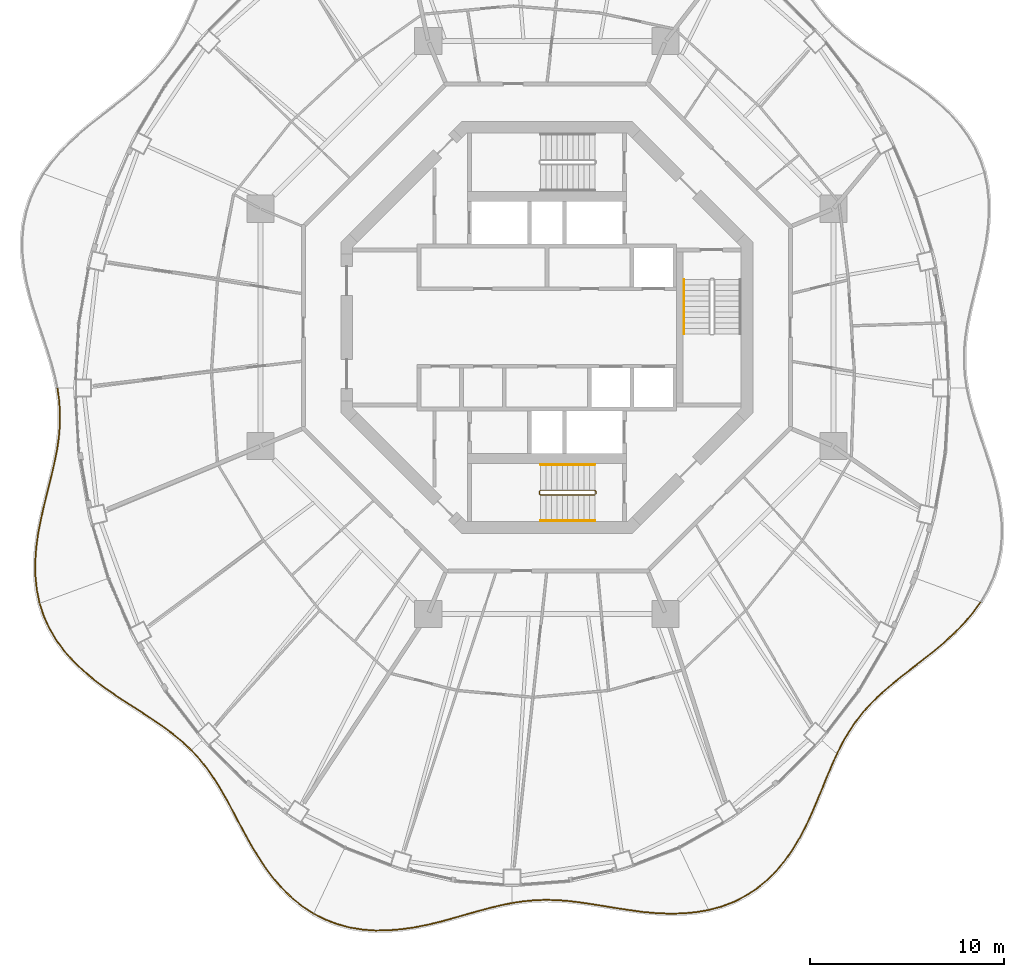
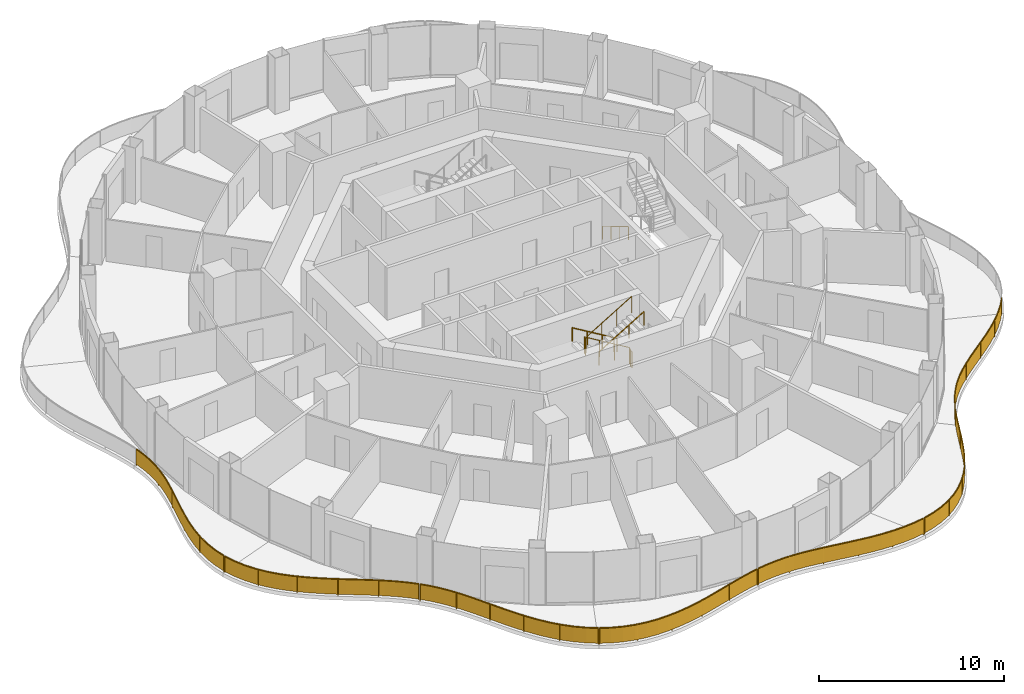
# One storey, part 15 of 17: 11 railings.
"""IFC4 building model written with IfcOpenShell, lengths in metres."""

from ifc_helpers import new_model, si_unit, direction, frame, origin, origin_2d, place, context, subcontext, project, spatial, polyline, rectangle, circle, outline, extrude, material, type_object, element, save


model = new_model("IFC4")

# Units and contexts
model_context = context("Model", 3, precision=1e-05, world=origin(), true_north=direction((0.0, 1.0)))
body_context = subcontext(model_context, "Body", "Model", "MODEL_VIEW")
ifc_project = project(units=[si_unit("LENGTHUNIT", "METRE"), si_unit("AREAUNIT", "SQUARE_METRE"), si_unit("VOLUMEUNIT", "CUBIC_METRE"), si_unit("PLANEANGLEUNIT", "RADIAN"), si_unit("MASSUNIT", "GRAM", prefix="KILO")], contexts=[model_context])

# Site, building, storey
site_placement = place(None, origin())
site = spatial("IfcSite", under=ifc_project, at=site_placement, CompositionType="ELEMENT")
building_placement = place(site_placement, origin())
building = spatial("IfcBuilding", under=site, at=building_placement, Name="Nagisa Residences", CompositionType="ELEMENT")
storey_placement = place(building_placement, frame((0.0, 0.0, 288.10009765625)))
storey = spatial("IfcBuildingStorey", under=building, at=storey_placement, Name="L73", CompositionType="ELEMENT", Elevation=288.10009765625)

# Railings
ifc_material_1 = material(Name="Stainless steel 316", Category="steel")
railing_type_1 = type_object("IfcRailingType", Name="BALCONY GUARD 1100", PredefinedType="BALUSTRADE", material=ifc_material_1)
railing_1_placement = place(storey_placement, frame((-25.253662109375, -3.15234375, 0.0)))
element("IfcRailing", 1, at=railing_1_placement, inside=storey, type_object=railing_type_1, Name="guard:L73:bal08-0", PredefinedType="BALUSTRADE", context=body_context, shape_type="SweptSolid", body=[
    extrude(outline(polyline([(0.112060546875, -0.6025390625), (0.024658203125, 0.003662109375), (-0.024658203125, -0.003662109375), (0.062255859375, -0.60791015625), (0.105224609375, -1.25146484375), (0.098388671875, -1.897705078125), (0.04296875, -2.550537109375), (-0.0556640625, -3.213134765625), (-0.19189453125, -3.87451171875), (-0.35302734375, -4.563720703125), (-0.528564453125, -5.267578125), (-0.706298828125, -5.985107421875), (-0.8720703125, -6.715087890625), (-1.016357421875, -7.43994140625), (-1.119140625, -8.18310546875), (-1.17236328125, -8.926025390625), (-1.1650390625, -9.662841796875), (-1.09033203125, -10.3876953125), (-0.95263671875, -11.048095703125), (-0.90380859375, -11.037841796875), (-1.041015625, -10.3798828125), (-1.115234375, -9.659912109375), (-1.1220703125, -8.927490234375), (-1.0693359375, -8.1884765625), (-0.967041015625, -7.4482421875), (-0.8232421875, -6.725341796875), (-0.657470703125, -5.996826171875), (-0.480224609375, -5.27978515625), (-0.30419921875, -4.575439453125), (-0.14306640625, -3.88525390625), (-0.00634765625, -3.221923828125), (0.0927734375, -2.556396484375), (0.148193359375, -1.900146484375), (0.155517578125, -1.25), (0.112060546875, -0.6025390625)])), frame((0.0, 0.0, 1.050048828125)), (0.0, 0.0, 1.0), 0.050048828125),
    extrude(outline(polyline([(0.09423828125, -0.6044921875), (0.0068359375, 0.0009765625), (-0.0068359375, -0.0009765625), (0.080078125, -0.60595703125), (0.123291015625, -1.2509765625), (0.1162109375, -1.898681640625), (0.06103515625, -2.552734375), (-0.037841796875, -3.21630859375), (-0.17431640625, -3.87841796875), (-0.33544921875, -4.56787109375), (-0.51123046875, -5.27197265625), (-0.688720703125, -5.9892578125), (-0.8544921875, -6.71875), (-0.99853515625, -7.44287109375), (-1.101318359375, -8.18505859375), (-1.154296875, -8.926513671875), (-1.147216796875, -9.661865234375), (-1.072509765625, -10.384765625), (-0.93505859375, -11.04443359375), (-0.92138671875, -11.04150390625), (-1.058837890625, -10.3828125), (-1.133056640625, -9.660888671875), (-1.14013671875, -8.927001953125), (-1.087158203125, -8.1865234375), (-0.98486328125, -7.4453125), (-0.8408203125, -6.7216796875), (-0.675048828125, -5.99267578125), (-0.49755859375, -5.275390625), (-0.32177734375, -4.5712890625), (-0.16064453125, -3.88134765625), (-0.024169921875, -3.21875), (0.07470703125, -2.55419921875), (0.13037109375, -1.899169921875), (0.137451171875, -1.25048828125), (0.09423828125, -0.6044921875)])), frame((0.0, 0.0, 0.06005859375)), (0.0, 0.0, 1.0), 0.989990234375),
    extrude(rectangle(XDim=0.0400390625, YDim=0.0400390625, at=origin_2d()), origin(), (0.0, 0.0, 1.0), 1.050048828125),
    extrude(rectangle(XDim=0.0400390625, YDim=0.0400390625, at=origin_2d()), frame((0.09521484375, -2.230224609375, 0.0)), (0.0, 0.0, 1.0), 1.050048828125),
    extrude(rectangle(XDim=0.0400390625, YDim=0.0400390625, at=origin_2d()), frame((-0.296630859375, -4.43212890625, 0.0)), (0.0, 0.0, 1.0), 1.050048828125),
    extrude(rectangle(XDim=0.0400390625, YDim=0.0400390625, at=origin_2d()), frame((-0.822265625, -6.608642578125, 0.0)), (0.0, 0.0, 1.0), 1.050048828125),
    extrude(rectangle(XDim=0.0400390625, YDim=0.0400390625, at=origin_2d()), frame((-1.1396484375, -8.822021484375, 0.0)), (0.0, 0.0, 1.0), 1.050048828125),
    extrude(rectangle(XDim=0.0400390625, YDim=0.0400390625, at=origin_2d()), frame((-0.92822265625, -11.04296875, 0.0)), (0.0, 0.0, 1.0), 1.050048828125),
])
railing_2_placement = place(storey_placement, frame((-26.162109375, -14.27001953125, 0.0)))
element("IfcRailing", 2, at=railing_2_placement, inside=storey, type_object=railing_type_1, Name="guard:L73:bal09-0", PredefinedType="BALUSTRADE", context=body_context, shape_type="SweptSolid", body=[
    extrude(outline(polyline([(0.223876953125, -0.606689453125), (0.023681640625, 0.0078125), (-0.023681640625, -0.0078125), (0.177001953125, -0.624755859375), (0.464111328125, -1.259765625), (0.8193359375, -1.86376953125), (1.238037109375, -2.434814453125), (1.713134765625, -2.97119140625), (2.22900390625, -3.46044921875), (2.788330078125, -3.9306640625), (3.374267578125, -4.37158203125), (3.975341796875, -4.7880859375), (4.580078125, -5.185791015625), (5.170166015625, -5.55908203125), (5.75244140625, -5.93994140625), (6.311279296875, -6.323486328125), (6.840576171875, -6.717529296875), (7.336181640625, -7.128173828125), (7.767333984375, -7.533447265625), (7.801513671875, -7.496826171875), (7.369384765625, -7.090576171875), (6.871337890625, -6.677978515625), (6.340576171875, -6.282958984375), (5.7802734375, -5.8984375), (5.197021484375, -5.51708984375), (4.607421875, -5.143798828125), (4.003173828125, -4.74658203125), (3.403564453125, -4.3310546875), (2.819580078125, -3.8916015625), (2.26220703125, -3.42333984375), (1.749267578125, -2.9365234375), (1.277099609375, -2.403564453125), (0.861328125, -1.83642578125), (0.508544921875, -1.23681640625), (0.223876953125, -0.606689453125)])), frame((0.0, 0.0, 1.050048828125)), (0.0, 0.0, 1.0), 0.050048828125),
    extrude(outline(polyline([(0.20703125, -0.61328125), (0.006591796875, 0.002197265625), (-0.006591796875, -0.002197265625), (0.19384765625, -0.6181640625), (0.480224609375, -1.25146484375), (0.83447265625, -1.85400390625), (1.252197265625, -2.423583984375), (1.72607421875, -2.958740234375), (2.240966796875, -3.447021484375), (2.799560546875, -3.91650390625), (3.384765625, -4.35693359375), (3.9853515625, -4.773193359375), (4.58984375, -5.170654296875), (5.1796875, -5.5439453125), (5.762451171875, -5.925048828125), (6.32177734375, -6.308837890625), (6.8515625, -6.703369140625), (7.34814453125, -7.11474609375), (7.779541015625, -7.520263671875), (7.789306640625, -7.510009765625), (7.357421875, -7.10400390625), (6.8603515625, -6.692138671875), (6.330078125, -6.297607421875), (5.770263671875, -5.913330078125), (5.1875, -5.5322265625), (4.59765625, -5.158935546875), (3.9931640625, -4.761474609375), (3.39306640625, -4.345703125), (2.808349609375, -3.90576171875), (2.250244140625, -3.436767578125), (1.736328125, -2.948974609375), (1.262939453125, -2.414794921875), (0.84619140625, -1.84619140625), (0.492431640625, -1.2451171875), (0.20703125, -0.61328125)])), frame((0.0, 0.0, 0.06005859375)), (0.0, 0.0, 1.0), 0.989990234375),
    extrude(rectangle(XDim=0.0400390625, YDim=0.0400390625, at=origin_2d()), origin(), (0.0, 0.0, 1.0), 1.050048828125),
    extrude(rectangle(XDim=0.0400390625, YDim=0.0400390625, at=origin_2d()), frame((0.941650390625, -1.98828125, 0.0)), (0.0, 0.0, 1.0), 1.050048828125),
    extrude(rectangle(XDim=0.0400390625, YDim=0.0400390625, at=origin_2d()), frame((2.439453125, -3.60498046875, 0.0)), (0.0, 0.0, 1.0), 1.050048828125),
    extrude(rectangle(XDim=0.0400390625, YDim=0.0400390625, at=origin_2d()), frame((4.217041015625, -4.9169921875, 0.0)), (0.0, 0.0, 1.0), 1.050048828125),
    extrude(rectangle(XDim=0.0400390625, YDim=0.0400390625, at=origin_2d()), frame((6.068115234375, -6.126220703125, 0.0)), (0.0, 0.0, 1.0), 1.050048828125),
    extrude(rectangle(XDim=0.0400390625, YDim=0.0400390625, at=origin_2d()), frame((7.784423828125, -7.51513671875, 0.0)), (0.0, 0.0, 1.0), 1.050048828125),
])
railing_3_placement = place(storey_placement, frame((-18.32861328125, -21.833740234375, 0.0)))
element("IfcRailing", 3, at=railing_3_placement, inside=storey, type_object=railing_type_1, Name="guard:L73:bal10-0", PredefinedType="BALUSTRADE", context=body_context, shape_type="SweptSolid", body=[
    extrude(outline(polyline([(0.3984375, -0.39306640625), (0.018310546875, 0.01708984375), (-0.018310546875, -0.01708984375), (0.3603515625, -0.42578125), (0.73876953125, -0.8935546875), (1.09228515625, -1.390625), (1.42578125, -1.917236328125), (1.74609375, -2.47119140625), (2.048095703125, -3.0380859375), (2.36376953125, -3.63427734375), (2.6884765625, -4.2421875), (3.029541015625, -4.853515625), (3.39404296875, -5.459228515625), (3.775146484375, -6.0419921875), (4.20068359375, -6.607177734375), (4.665283203125, -7.138427734375), (5.168212890625, -7.625732421875), (5.710205078125, -8.060791015625), (6.24853515625, -8.411376953125), (6.27587890625, -8.369384765625), (5.739501953125, -8.020263671875), (5.201416015625, -7.588134765625), (4.701416015625, -7.103759765625), (4.23974609375, -6.575439453125), (3.816162109375, -6.01318359375), (3.4365234375, -5.432861328125), (3.072998046875, -4.82861328125), (2.732421875, -4.21826171875), (2.408203125, -3.61083984375), (2.092529296875, -3.0146484375), (1.7900390625, -2.44677734375), (1.46875, -1.891357421875), (1.1337890625, -1.36279296875), (0.77880859375, -0.86328125), (0.3984375, -0.39306640625)])), frame((0.0, 0.0, 1.050048828125)), (0.0, 0.0, 1.0), 0.050048828125),
    extrude(outline(polyline([(0.384765625, -0.40478515625), (0.005126953125, 0.004638671875), (-0.005126953125, -0.004638671875), (0.3740234375, -0.4140625), (0.753173828125, -0.882568359375), (1.107177734375, -1.380615234375), (1.441162109375, -1.907958984375), (1.761962890625, -2.46240234375), (2.064208984375, -3.029541015625), (2.3798828125, -3.625732421875), (2.704345703125, -4.233642578125), (3.045166015625, -4.844482421875), (3.409423828125, -5.44970703125), (3.7900390625, -6.031494140625), (4.21484375, -6.595703125), (4.67822265625, -7.1259765625), (5.18017578125, -7.6123046875), (5.720703125, -8.046142578125), (6.25830078125, -8.396240234375), (6.26611328125, -8.384521484375), (5.72900390625, -8.034912109375), (5.189453125, -7.6015625), (4.6884765625, -7.1162109375), (4.2255859375, -6.5869140625), (3.80126953125, -6.023681640625), (3.421142578125, -5.4423828125), (3.057373046875, -4.837646484375), (2.716552734375, -4.226806640625), (2.39208984375, -3.619384765625), (2.076416015625, -3.023193359375), (1.774169921875, -2.45556640625), (1.453369140625, -1.900634765625), (1.118896484375, -1.372802734375), (0.764404296875, -0.874267578125), (0.384765625, -0.40478515625)])), frame((0.0, 0.0, 0.06005859375)), (0.0, 0.0, 1.0), 0.989990234375),
    extrude(rectangle(XDim=0.0400390625, YDim=0.0400390625, at=origin_2d()), origin(), (0.0, 0.0, 1.0), 1.050048828125),
    extrude(rectangle(XDim=0.0400390625, YDim=0.0400390625, at=origin_2d()), frame((1.29736328125, -1.667724609375, 0.0)), (0.0, 0.0, 1.0), 1.050048828125),
    extrude(rectangle(XDim=0.0400390625, YDim=0.0400390625, at=origin_2d()), frame((2.329345703125, -3.515625, 0.0)), (0.0, 0.0, 1.0), 1.050048828125),
    extrude(rectangle(XDim=0.0400390625, YDim=0.0400390625, at=origin_2d()), frame((3.36474609375, -5.36181640625, 0.0)), (0.0, 0.0, 1.0), 1.050048828125),
    extrude(rectangle(XDim=0.0400390625, YDim=0.0400390625, at=origin_2d()), frame((4.627197265625, -7.056884765625, 0.0)), (0.0, 0.0, 1.0), 1.050048828125),
    extrude(rectangle(XDim=0.0400390625, YDim=0.0400390625, at=origin_2d()), frame((6.26220703125, -8.390380859375, 0.0)), (0.0, 0.0, 1.0), 1.050048828125),
])
railing_4_placement = place(storey_placement, frame((-11.99951171875, -30.262939453125, 0.0)))
element("IfcRailing", 4, at=railing_4_placement, inside=storey, type_object=railing_type_1, Name="guard:L73:bal11-0", PredefinedType="BALUSTRADE", context=body_context, shape_type="SweptSolid", body=[
    extrude(outline(polyline([(0.55712890625, -0.2568359375), (0.011474609375, 0.022216796875), (-0.011474609375, -0.022216796875), (0.53662109375, -0.302734375), (1.15673828125, -0.5419921875), (1.80078125, -0.717041015625), (2.463623046875, -0.8291015625), (3.1396484375, -0.880126953125), (3.80712890625, -0.86962890625), (4.4931640625, -0.813720703125), (5.176513671875, -0.714599609375), (5.852783203125, -0.580810546875), (6.518798828125, -0.421630859375), (7.154052734375, -0.244384765625), (7.792236328125, -0.063720703125), (8.416015625, 0.11328125), (9.026123046875, 0.278076171875), (9.6240234375, 0.422607421875), (10.169921875, 0.53369140625), (10.16015625, 0.58251953125), (9.61328125, 0.471435546875), (9.013916015625, 0.326416015625), (8.40283203125, 0.16162109375), (7.778564453125, -0.015380859375), (7.140380859375, -0.196044921875), (6.506103515625, -0.373291015625), (5.842041015625, -0.531982421875), (5.168212890625, -0.665283203125), (4.4873046875, -0.763916015625), (3.8046875, -0.81982421875), (3.14111328125, -0.829833984375), (2.469482421875, -0.779296875), (1.8115234375, -0.668212890625), (1.17236328125, -0.494140625), (0.55712890625, -0.2568359375)])), frame((0.0, 0.0, 1.050048828125)), (0.0, 0.0, 1.0), 0.050048828125),
    extrude(outline(polyline([(0.5498046875, -0.2734375), (0.003173828125, 0.00634765625), (-0.003173828125, -0.00634765625), (0.5439453125, -0.2861328125), (1.162353515625, -0.524658203125), (1.8046875, -0.699462890625), (2.4658203125, -0.81103515625), (3.14013671875, -0.862060546875), (3.80615234375, -0.851806640625), (4.490966796875, -0.7958984375), (5.173583984375, -0.69677734375), (5.848876953125, -0.563232421875), (6.51416015625, -0.404296875), (7.149169921875, -0.22705078125), (7.787353515625, -0.04638671875), (8.411376953125, 0.130615234375), (9.021728515625, 0.29541015625), (9.6201171875, 0.440185546875), (10.16650390625, 0.55126953125), (10.16357421875, 0.56494140625), (9.6171875, 0.453857421875), (9.018310546875, 0.30908203125), (8.407470703125, 0.144287109375), (7.783447265625, -0.03271484375), (7.145263671875, -0.21337890625), (6.5107421875, -0.390625), (5.845947265625, -0.549560546875), (5.171142578125, -0.68310546875), (4.489501953125, -0.78173828125), (3.8056640625, -0.837646484375), (3.140625, -0.847900390625), (2.46728515625, -0.79736328125), (1.8076171875, -0.685791015625), (1.166748046875, -0.511474609375), (0.5498046875, -0.2734375)])), frame((0.0, 0.0, 0.06005859375)), (0.0, 0.0, 1.0), 0.989990234375),
    extrude(rectangle(XDim=0.0400390625, YDim=0.0400390625, at=origin_2d()), origin(), (0.0, 0.0, 1.0), 1.050048828125),
    extrude(rectangle(XDim=0.0400390625, YDim=0.0400390625, at=origin_2d()), frame((1.958251953125, -0.71826171875, 0.0)), (0.0, 0.0, 1.0), 1.050048828125),
    extrude(rectangle(XDim=0.0400390625, YDim=0.0400390625, at=origin_2d()), frame((4.04345703125, -0.8251953125, 0.0)), (0.0, 0.0, 1.0), 1.050048828125),
    extrude(rectangle(XDim=0.0400390625, YDim=0.0400390625, at=origin_2d()), frame((6.10986328125, -0.49365234375, 0.0)), (0.0, 0.0, 1.0), 1.050048828125),
    extrude(rectangle(XDim=0.0400390625, YDim=0.0400390625, at=origin_2d()), frame((8.130859375, 0.058349609375, 0.0)), (0.0, 0.0, 1.0), 1.050048828125),
    extrude(rectangle(XDim=0.0400390625, YDim=0.0400390625, at=origin_2d()), frame((10.1650390625, 0.55810546875, 0.0)), (0.0, 0.0, 1.0), 1.050048828125),
])
railing_5_placement = place(storey_placement, frame((-1.765380859375, -29.691162109375, 0.0)))
element("IfcRailing", 5, at=railing_5_placement, inside=storey, type_object=railing_type_1, Name="guard:L73:bal12-0", PredefinedType="BALUSTRADE", context=body_context, shape_type="SweptSolid", body=[
    extrude(outline(polyline([(0.537353515625, 0.106689453125), (-0.003662109375, 0.024658203125), (0.003662109375, -0.024658203125), (0.543212890625, 0.056884765625), (1.12353515625, 0.11083984375), (1.70556640625, 0.130126953125), (2.293212890625, 0.1162109375), (2.8896484375, 0.0712890625), (3.48046875, -0.002197265625), (4.10302734375, -0.092529296875), (4.740478515625, -0.1953125), (5.392333984375, -0.301513671875), (6.057861328125, -0.402099609375), (6.718017578125, -0.49267578125), (7.403076171875, -0.5537109375), (8.091552734375, -0.58154296875), (8.778564453125, -0.5673828125), (9.4580078125, -0.50537109375), (10.077392578125, -0.39892578125), (10.069091796875, -0.349609375), (9.45166015625, -0.45556640625), (8.775634765625, -0.517578125), (8.092041015625, -0.53125), (7.406494140625, -0.50390625), (6.723876953125, -0.44287109375), (6.065185546875, -0.352783203125), (5.400146484375, -0.252197265625), (4.748291015625, -0.14599609375), (4.11083984375, -0.043212890625), (3.4873046875, 0.047607421875), (2.89453125, 0.12109375), (2.295654296875, 0.166015625), (1.70556640625, 0.180419921875), (1.12060546875, 0.16064453125), (0.537353515625, 0.106689453125)])), frame((0.0, 0.0, 1.050048828125)), (0.0, 0.0, 1.0), 0.050048828125),
    extrude(outline(polyline([(0.53955078125, 0.088623046875), (-0.0009765625, 0.0068359375), (0.0009765625, -0.0068359375), (0.541015625, 0.074951171875), (1.12255859375, 0.128662109375), (1.70556640625, 0.148193359375), (2.294189453125, 0.134033203125), (2.891357421875, 0.089111328125), (3.48291015625, 0.015869140625), (4.10595703125, -0.07470703125), (4.7431640625, -0.177490234375), (5.395263671875, -0.28369140625), (6.060546875, -0.38427734375), (6.72021484375, -0.474609375), (7.404296875, -0.535888671875), (8.091796875, -0.5634765625), (8.777587890625, -0.549560546875), (9.455810546875, -0.4873046875), (10.074462890625, -0.381103515625), (10.072021484375, -0.367431640625), (9.453857421875, -0.4736328125), (8.776611328125, -0.535400390625), (8.091796875, -0.54931640625), (7.4052734375, -0.521728515625), (6.7216796875, -0.4609375), (6.0625, -0.37060546875), (5.397216796875, -0.27001953125), (4.74560546875, -0.163818359375), (4.10791015625, -0.06103515625), (3.48486328125, 0.029541015625), (2.892822265625, 0.103271484375), (2.294677734375, 0.148193359375), (1.70556640625, 0.162353515625), (1.12158203125, 0.142822265625), (0.53955078125, 0.088623046875)])), frame((0.0, 0.0, 0.06005859375)), (0.0, 0.0, 1.0), 0.989990234375),
    extrude(rectangle(XDim=0.0400390625, YDim=0.0400390625, at=origin_2d()), origin(), (0.0, 0.0, 1.0), 1.050048828125),
    extrude(rectangle(XDim=0.0400390625, YDim=0.0400390625, at=origin_2d()), frame((2.01904296875, 0.147705078125, 0.0)), (0.0, 0.0, 1.0), 1.050048828125),
    extrude(rectangle(XDim=0.0400390625, YDim=0.0400390625, at=origin_2d()), frame((4.03515625, -0.057373046875, 0.0)), (0.0, 0.0, 1.0), 1.050048828125),
    extrude(rectangle(XDim=0.0400390625, YDim=0.0400390625, at=origin_2d()), frame((6.03857421875, -0.3740234375, 0.0)), (0.0, 0.0, 1.0), 1.050048828125),
    extrude(rectangle(XDim=0.0400390625, YDim=0.0400390625, at=origin_2d()), frame((8.05712890625, -0.554931640625, 0.0)), (0.0, 0.0, 1.0), 1.050048828125),
    extrude(rectangle(XDim=0.0400390625, YDim=0.0400390625, at=origin_2d()), frame((10.0732421875, -0.374267578125, 0.0)), (0.0, 0.0, 1.0), 1.050048828125),
])
railing_6_placement = place(storey_placement, frame((8.383544921875, -30.049072265625, 0.0)))
element("IfcRailing", 6, at=railing_6_placement, inside=storey, type_object=railing_type_1, Name="guard:L73:bal13-0", PredefinedType="BALUSTRADE", context=body_context, shape_type="SweptSolid", body=[
    extrude(outline(polyline([(0.6162109375, 0.191162109375), (-0.006591796875, 0.024169921875), (0.006591796875, -0.024169921875), (0.6318359375, 0.143310546875), (1.276123046875, 0.389892578125), (1.8876953125, 0.701416015625), (2.4619140625, 1.076171875), (2.99267578125, 1.509033203125), (3.47119140625, 1.98974609375), (3.91748046875, 2.525390625), (4.3212890625, 3.100341796875), (4.685546875, 3.70556640625), (5.014404296875, 4.33203125), (5.301513671875, 4.95947265625), (5.577392578125, 5.6005859375), (5.838623046875, 6.236572265625), (6.092529296875, 6.860107421875), (6.347412109375, 7.46484375), (6.592529296875, 8.0078125), (6.547119140625, 8.0283203125), (6.301513671875, 7.48486328125), (6.046142578125, 6.879150390625), (5.792236328125, 6.255615234375), (5.531494140625, 5.6201171875), (5.255615234375, 4.97998046875), (4.969482421875, 4.35400390625), (4.64208984375, 3.72998046875), (4.279296875, 3.127685546875), (3.8779296875, 2.5556640625), (3.43408203125, 2.0234375), (2.958984375, 1.546142578125), (2.43212890625, 1.11669921875), (1.86279296875, 0.744873046875), (1.255615234375, 0.435791015625), (0.6162109375, 0.191162109375)])), frame((0.0, 0.0, 1.050048828125)), (0.0, 0.0, 1.0), 0.050048828125),
    extrude(outline(polyline([(0.621826171875, 0.173828125), (-0.001708984375, 0.0068359375), (0.001708984375, -0.0068359375), (0.626220703125, 0.16064453125), (1.268798828125, 0.406494140625), (1.878662109375, 0.717041015625), (2.451171875, 1.0908203125), (2.98046875, 1.5224609375), (3.457763671875, 2.001953125), (3.9033203125, 2.536376953125), (4.30615234375, 3.110107421875), (4.669921875, 3.71435546875), (4.998291015625, 4.33984375), (5.284912109375, 4.966796875), (5.560791015625, 5.607666015625), (5.822021484375, 6.243408203125), (6.07568359375, 6.866943359375), (6.330810546875, 7.47216796875), (6.576171875, 8.01513671875), (6.5634765625, 8.02099609375), (6.318115234375, 7.4775390625), (6.06298828125, 6.872314453125), (5.808837890625, 6.248779296875), (5.548095703125, 5.613037109375), (5.272216796875, 4.97265625), (4.985595703125, 4.34619140625), (4.65771484375, 3.72119140625), (4.29443359375, 3.117919921875), (3.89208984375, 2.544677734375), (3.447509765625, 2.01123046875), (2.97119140625, 1.53271484375), (2.44287109375, 1.10205078125), (1.871826171875, 0.729248046875), (1.262939453125, 0.419189453125), (0.621826171875, 0.173828125)])), frame((0.0, 0.0, 0.06005859375)), (0.0, 0.0, 1.0), 0.989990234375),
    extrude(rectangle(XDim=0.0400390625, YDim=0.0400390625, at=origin_2d()), origin(), (0.0, 0.0, 1.0), 1.050048828125),
    extrude(rectangle(XDim=0.0400390625, YDim=0.0400390625, at=origin_2d()), frame((2.005859375, 0.808349609375, 0.0)), (0.0, 0.0, 1.0), 1.050048828125),
    extrude(rectangle(XDim=0.0400390625, YDim=0.0400390625, at=origin_2d()), frame((3.636962890625, 2.2275390625, 0.0)), (0.0, 0.0, 1.0), 1.050048828125),
    extrude(rectangle(XDim=0.0400390625, YDim=0.0400390625, at=origin_2d()), frame((4.831298828125, 4.03662109375, 0.0)), (0.0, 0.0, 1.0), 1.050048828125),
    extrude(rectangle(XDim=0.0400390625, YDim=0.0400390625, at=origin_2d()), frame((5.7216796875, 6.017822265625, 0.0)), (0.0, 0.0, 1.0), 1.050048828125),
    extrude(rectangle(XDim=0.0400390625, YDim=0.0400390625, at=origin_2d()), frame((6.56982421875, 8.01806640625, 0.0)), (0.0, 0.0, 1.0), 1.050048828125),
])
railing_7_placement = place(storey_placement, frame((14.982666015625, -21.96484375, 0.0)))
element("IfcRailing", 7, at=railing_7_placement, inside=storey, type_object=railing_type_1, Name="guard:L73:bal14-0", PredefinedType="BALUSTRADE", context=body_context, shape_type="SweptSolid", body=[
    extrude(outline(polyline([(0.253173828125, 0.556640625), (-0.022216796875, 0.01123046875), (0.022216796875, -0.01123046875), (0.297119140625, 0.53271484375), (0.617919921875, 1.084716796875), (0.969970703125, 1.606689453125), (1.357421875, 2.100830078125), (1.782470703125, 2.57080078125), (2.236083984375, 3.009033203125), (2.732666015625, 3.44677734375), (3.259033203125, 3.87744140625), (3.807861328125, 4.308349609375), (4.37060546875, 4.74609375), (4.930908203125, 5.18408203125), (5.490234375, 5.65380859375), (6.030517578125, 6.146728515625), (6.54052734375, 6.66650390625), (7.009033203125, 7.21533203125), (7.3994140625, 7.754638671875), (7.35888671875, 7.783935546875), (6.969482421875, 7.24609375), (6.50341796875, 6.7001953125), (5.995849609375, 6.182861328125), (5.45703125, 5.69140625), (4.899169921875, 5.22314453125), (4.33984375, 4.78564453125), (3.777099609375, 4.347900390625), (3.227783203125, 3.91650390625), (2.700439453125, 3.48486328125), (2.201904296875, 3.045654296875), (1.746337890625, 2.60546875), (1.3193359375, 2.133056640625), (0.929443359375, 1.635986328125), (0.575439453125, 1.111083984375), (0.253173828125, 0.556640625)])), frame((0.0, 0.0, 1.050048828125)), (0.0, 0.0, 1.0), 0.050048828125),
    extrude(outline(polyline([(0.26904296875, 0.548095703125), (-0.00634765625, 0.003173828125), (0.00634765625, -0.003173828125), (0.28125, 0.541259765625), (0.6025390625, 1.09423828125), (0.955322265625, 1.6171875), (1.34375, 2.112548828125), (1.76953125, 2.583251953125), (2.2236328125, 3.022216796875), (2.72119140625, 3.46044921875), (3.247802734375, 3.8916015625), (3.796875, 4.322509765625), (4.359619140625, 4.76025390625), (4.91943359375, 5.1982421875), (5.478271484375, 5.667236328125), (6.01806640625, 6.15966796875), (6.527099609375, 6.6787109375), (6.994873046875, 7.226318359375), (7.384765625, 7.76513671875), (7.37353515625, 7.7734375), (6.983642578125, 7.235107421875), (6.516845703125, 6.68798828125), (6.00830078125, 6.169921875), (5.468994140625, 5.677978515625), (4.91064453125, 5.208984375), (4.350830078125, 4.771484375), (3.7880859375, 4.333740234375), (3.239013671875, 3.90234375), (2.7119140625, 3.47119140625), (2.21435546875, 3.032470703125), (1.75927734375, 2.593017578125), (1.3330078125, 2.121337890625), (0.944091796875, 1.62548828125), (0.5908203125, 1.1015625), (0.26904296875, 0.548095703125)])), frame((0.0, 0.0, 0.06005859375)), (0.0, 0.0, 1.0), 0.989990234375),
    extrude(rectangle(XDim=0.0400390625, YDim=0.0400390625, at=origin_2d()), origin(), (0.0, 0.0, 1.0), 1.050048828125),
    extrude(rectangle(XDim=0.0400390625, YDim=0.0400390625, at=origin_2d()), frame((1.12353515625, 1.8427734375, 0.0)), (0.0, 0.0, 1.0), 1.050048828125),
    extrude(rectangle(XDim=0.0400390625, YDim=0.0400390625, at=origin_2d()), frame((2.629638671875, 3.38916015625, 0.0)), (0.0, 0.0, 1.0), 1.050048828125),
    extrude(rectangle(XDim=0.0400390625, YDim=0.0400390625, at=origin_2d()), frame((4.320068359375, 4.738525390625, 0.0)), (0.0, 0.0, 1.0), 1.050048828125),
    extrude(rectangle(XDim=0.0400390625, YDim=0.0400390625, at=origin_2d()), frame((5.974853515625, 6.1298828125, 0.0)), (0.0, 0.0, 1.0), 1.050048828125),
    extrude(rectangle(XDim=0.0400390625, YDim=0.0400390625, at=origin_2d()), frame((7.379150390625, 7.769287109375, 0.0)), (0.0, 0.0, 1.0), 1.050048828125),
])
ifc_material_2 = material(Name="Stainless steel", Category="steel")
railing_type_2 = type_object("IfcRailingType", Name="Stair guard 1100", PredefinedType="GUARDRAIL", material=ifc_material_2)
railing_8_placement = place(storey_placement, frame((2.52490234375, -8.599609375, 0.0)))
element("IfcRailing", 8, at=railing_8_placement, inside=storey, type_object=railing_type_2, Name="L73 ST-S stair guard 1", PredefinedType="GUARDRAIL", context=body_context, shape_type="SweptSolid", body=[
    extrude(circle(Radius=0.02392578125, at=origin_2d()), frame((0.0, 0.0, 1.076171875), z_axis=(0.0, 1.0, 0.0), x_axis=(-1.0, 0.0, 0.0)), (0.0, 0.0, 1.0), 0.14990234375),
    extrude(circle(Radius=0.02392578125, at=origin_2d()), frame((0.0, 0.14990234375, 1.076171875), z_axis=(-0.273343290215, 0.274683208305, 0.921863645432), x_axis=(-0.708833529934, -0.705375805398, 0.0)), (0.0, 0.0, 1.0), 0.18212890625),
    extrude(circle(Radius=0.02392578125, at=origin_2d()), frame((-0.0498046875, 0.199951171875, 1.244140625), z_axis=(-0.857242210791, 0.0, 0.514913383045), x_axis=(0.0, -1.0, 0.0)), (0.0, 0.0, 1.0), 3.266357421875),
    extrude(circle(Radius=0.02392578125, at=origin_2d()), frame((-2.849853515625, 0.199951171875, 2.92578125), z_axis=(-0.707106781187, -0.707106781187, 0.0), x_axis=(0.707106781187, -0.707106781187, 0.0)), (0.0, 0.0, 1.0), 0.07080078125),
    extrude(circle(Radius=0.02392578125, at=origin_2d()), frame((-2.89990234375, 0.14990234375, 2.92578125), z_axis=(0.0, -1.0, 0.0), x_axis=(1.0, 0.0, 0.0)), (0.0, 0.0, 1.0), 0.14990234375),
    extrude(circle(Radius=0.02392578125, at=origin_2d()), frame((-2.89990234375, 0.0, 2.92578125), z_axis=(0.274243871929, -0.274243871929, 0.92172696468), x_axis=(0.707106781187, 0.707106781187, 0.0)), (0.0, 0.0, 1.0), 0.1826171875),
    extrude(circle(Radius=0.02392578125, at=origin_2d()), frame((-2.849853515625, -0.050048828125, 3.09423828125), z_axis=(0.857242210791, 0.0, 0.514913383045), x_axis=(0.0, 1.0, 0.0)), (0.0, 0.0, 1.0), 3.266357421875),
    extrude(circle(Radius=0.02099609375, at=origin_2d()), origin(), (0.0, 0.0, 1.0), 1.052001953125),
    extrude(circle(Radius=0.02099609375, at=origin_2d()), frame((0.0, 0.14990234375, 0.0)), (0.0, 0.0, 1.0), 1.052001953125),
    extrude(circle(Radius=0.02099609375, at=origin_2d()), frame((-0.0498046875, 0.199951171875, 0.16796875)), (0.0, 0.0, 1.0), 1.052001953125),
    extrude(circle(Radius=0.02099609375, at=origin_2d()), frame((-0.983154296875, 0.199951171875, 0.728515625)), (0.0, 0.0, 1.0), 1.052001953125),
    extrude(circle(Radius=0.02099609375, at=origin_2d()), frame((-1.91650390625, 0.199951171875, 1.289306640625)), (0.0, 0.0, 1.0), 1.052001953125),
    extrude(circle(Radius=0.02099609375, at=origin_2d()), frame((-2.849853515625, 0.199951171875, 1.849853515625)), (0.0, 0.0, 1.0), 1.052001953125),
    extrude(circle(Radius=0.02099609375, at=origin_2d()), frame((-2.89990234375, 0.14990234375, 1.849853515625)), (0.0, 0.0, 1.0), 1.052001953125),
    extrude(circle(Radius=0.02099609375, at=origin_2d()), frame((-2.89990234375, 0.0, 1.849853515625)), (0.0, 0.0, 1.0), 1.052001953125),
    extrude(circle(Radius=0.02099609375, at=origin_2d()), frame((-2.849853515625, -0.050048828125, 2.01806640625)), (0.0, 0.0, 1.0), 1.052001953125),
    extrude(circle(Radius=0.02099609375, at=origin_2d()), frame((-1.91650390625, -0.050048828125, 2.57861328125)), (0.0, 0.0, 1.0), 1.052001953125),
    extrude(circle(Radius=0.02099609375, at=origin_2d()), frame((-0.983154296875, -0.050048828125, 3.139404296875)), (0.0, 0.0, 1.0), 1.052001953125),
    extrude(circle(Radius=0.02099609375, at=origin_2d()), frame((-0.0498046875, -0.050048828125, 3.699951171875)), (0.0, 0.0, 1.0), 1.052001953125),
])
ifc_material_3 = material(Name="Stainless steel", Category="steel")
railing_type_3 = type_object("IfcRailingType", Name="Stair handrail 900", PredefinedType="HANDRAIL", material=ifc_material_3)
railing_9_placement = place(storey_placement, frame((7.07470703125, 2.47509765625, 0.16796875)))
element("IfcRailing", 9, at=railing_9_placement, inside=storey, type_object=railing_type_3, Name="L73 ST-E stair handrail 1", PredefinedType="HANDRAIL", context=body_context, shape_type="SweptSolid", body=[
    extrude(circle(Radius=0.02392578125, at=origin_2d()), frame((0.0, 0.0, 0.8759765625), z_axis=(0.0, -0.857242210791, 0.514913383045), x_axis=(1.0, 0.0, 0.0)), (0.0, 0.0, 1.0), 3.266357421875),
    extrude(circle(Radius=0.02099609375, at=origin_2d()), origin(), (0.0, 0.0, 1.0), 0.851806640625),
    extrude(circle(Radius=0.02099609375, at=origin_2d()), frame((0.0, -0.933349609375, 0.560546875)), (0.0, 0.0, 1.0), 0.851806640625),
    extrude(circle(Radius=0.02099609375, at=origin_2d()), frame((0.0, -1.86669921875, 1.121337890625)), (0.0, 0.0, 1.0), 0.851806640625),
    extrude(circle(Radius=0.02099609375, at=origin_2d()), frame((0.0, -2.800048828125, 1.681884765625)), (0.0, 0.0, 1.0), 0.851806640625),
])
railing_10_placement = place(storey_placement, frame((2.47509765625, -7.07470703125, 0.16796875)))
element("IfcRailing", 10, at=railing_10_placement, inside=storey, type_object=railing_type_3, Name="L73 ST-S stair handrail 1", PredefinedType="HANDRAIL", context=body_context, shape_type="SweptSolid", body=[
    extrude(circle(Radius=0.02392578125, at=origin_2d()), frame((0.0, 0.0, 0.8759765625), z_axis=(-0.857242210791, 0.0, 0.514913383045), x_axis=(0.0, -1.0, 0.0)), (0.0, 0.0, 1.0), 3.266357421875),
    extrude(circle(Radius=0.02099609375, at=origin_2d()), origin(), (0.0, 0.0, 1.0), 0.851806640625),
    extrude(circle(Radius=0.02099609375, at=origin_2d()), frame((-0.933349609375, 0.0, 0.560546875)), (0.0, 0.0, 1.0), 0.851806640625),
    extrude(circle(Radius=0.02099609375, at=origin_2d()), frame((-1.86669921875, 0.0, 1.121337890625)), (0.0, 0.0, 1.0), 0.851806640625),
    extrude(circle(Radius=0.02099609375, at=origin_2d()), frame((-2.800048828125, 0.0, 1.681884765625)), (0.0, 0.0, 1.0), 0.851806640625),
])
railing_11_placement = place(storey_placement, frame((-0.324951171875, -9.974609375, 2.01806640625)))
element("IfcRailing", 11, at=railing_11_placement, inside=storey, type_object=railing_type_3, Name="L73 ST-S stair handrail 2", PredefinedType="HANDRAIL", context=body_context, shape_type="SweptSolid", body=[
    extrude(circle(Radius=0.02392578125, at=origin_2d()), frame((0.0, 0.0, 0.8759765625), z_axis=(0.857242210791, 0.0, 0.514913383045), x_axis=(0.0, 1.0, 0.0)), (0.0, 0.0, 1.0), 3.266357421875),
    extrude(circle(Radius=0.02099609375, at=origin_2d()), origin(), (0.0, 0.0, 1.0), 0.851806640625),
    extrude(circle(Radius=0.02099609375, at=origin_2d()), frame((0.933349609375, 0.0, 0.560546875)), (0.0, 0.0, 1.0), 0.851806640625),
    extrude(circle(Radius=0.02099609375, at=origin_2d()), frame((1.86669921875, 0.0, 1.121337890625)), (0.0, 0.0, 1.0), 0.851806640625),
    extrude(circle(Radius=0.02099609375, at=origin_2d()), frame((2.800048828125, 0.0, 1.681884765625)), (0.0, 0.0, 1.0), 0.851806640625),
])

save(model, "model.ifc")
